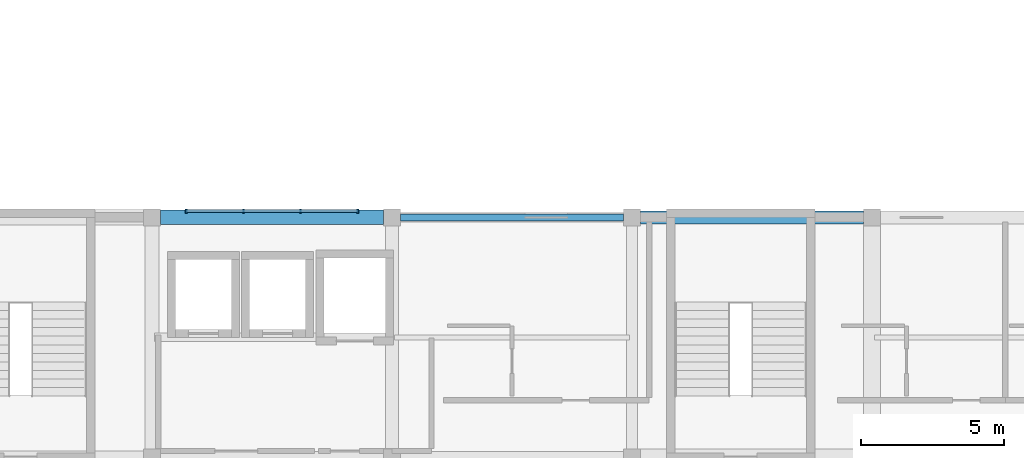
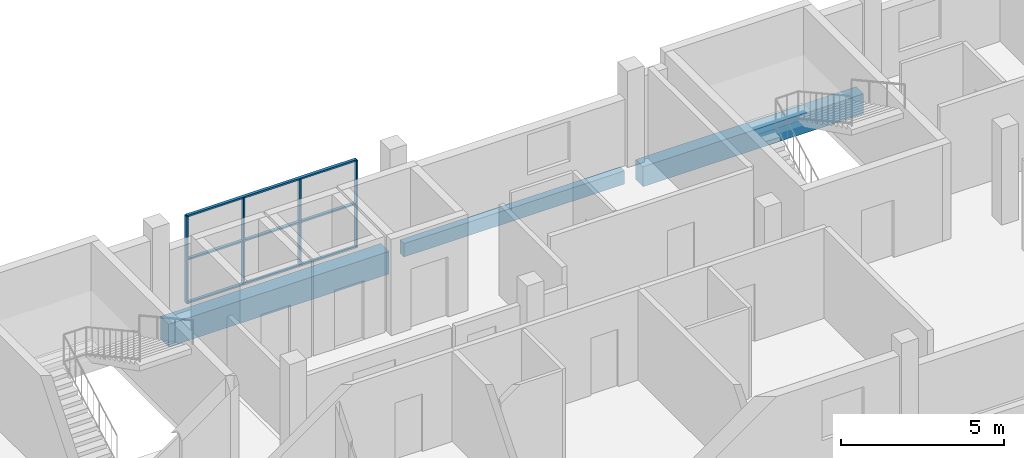
# One storey, part 4 of 24: 7 members, 3 beams, 1 element without a shape of its own.
"""IFC4 building model written with IfcOpenShell, lengths in metres."""

from ifc_helpers import new_model, si_unit, derived_unit, direction, frame, origin, origin_2d, place, context, subcontext, project, spatial, rectangle, extrude, material, material_profile, profile_set, type_object, element, aggregate, save


model = new_model("IFC4")

# Units and contexts
model_context = context("Model", 3, precision=1e-05, world=origin(), true_north=direction((0.0, 1.0)))
body_context = subcontext(model_context, "Body", "Model", "MODEL_VIEW")
ifc_project = project(units=[si_unit("LENGTHUNIT", "METRE"), si_unit("AREAUNIT", "SQUARE_METRE"), si_unit("VOLUMEUNIT", "CUBIC_METRE"), si_unit("PLANEANGLEUNIT", "RADIAN"), si_unit("MASSUNIT", "GRAM", prefix="KILO"), derived_unit("THERMALTRANSMITTANCEUNIT", [(si_unit("POWERUNIT", "WATT"), 1), (si_unit("LENGTHUNIT", "METRE"), -2), (si_unit("THERMODYNAMICTEMPERATUREUNIT", "KELVIN"), -1)])], contexts=[model_context])

# Site, building, storey
site_placement = place(None, origin())
site = spatial("IfcSite", under=ifc_project, at=site_placement, CompositionType="ELEMENT")
building_placement = place(site_placement, origin())
building = spatial("IfcBuilding", under=site, at=building_placement, Name="Barrovel Congress Hotel", CompositionType="ELEMENT")
storey_placement = place(building_placement, frame((0.0, 0.0, 29.10009765625)))
storey = spatial("IfcBuildingStorey", under=building, at=storey_placement, Name="L07", CompositionType="ELEMENT", Elevation=29.10009765625)

# Beams
ifc_material_1 = material(Name="Concrete C40", Category="concrete")
ifc_material_profile_1 = material_profile(ifc_material_1, rectangle(XDim=0.25, YDim=0.5, at=origin_2d()), Name="RC250x500")
ifc_profile_set_1 = profile_set([ifc_material_profile_1], Name="Concrete C40")
beam_type_1 = type_object("IfcBeamType", Name="BM-RC250x500", PredefinedType="SPANDREL", material=ifc_profile_set_1)
beam_1_placement = place(storey_placement, frame((92.699951171875, 21.0, -0.47021484375), z_axis=(1.0, 0.0, 0.0), x_axis=(0.0, 1.0, 0.0)))
element("IfcBeam", 1, at=beam_1_placement, inside=storey, type_object=beam_type_1, Name="BMX:L07:21.0:92.4-100.8", PredefinedType="SPANDREL", context=body_context, shape_type="SweptSolid", body=[
    extrude(rectangle(XDim=0.25, YDim=0.5, at=origin_2d()), origin(), (0.0, 0.0, 1.0), 7.800048828125),
])
ifc_material_profile_2 = material_profile(ifc_material_1, rectangle(XDim=0.449951171875, YDim=0.75, at=origin_2d()), Name="RC450x750")
ifc_profile_set_2 = profile_set([ifc_material_profile_2], Name="Concrete C40")
beam_type_2 = type_object("IfcBeamType", Name="BM-RC450x750", PredefinedType="BEAM", material=ifc_profile_set_2)
beam_2_placement = place(storey_placement, frame((101.10009765625, 21.0, -0.59521484375), z_axis=(1.0, 0.0, 0.0), x_axis=(0.0, 1.0, 0.0)))
element("IfcBeam", 2, at=beam_2_placement, inside=storey, type_object=beam_type_2, Name="BMX:L07:21.0:100.8-109.2", PredefinedType="BEAM", context=body_context, shape_type="SweptSolid", body=[
    extrude(rectangle(XDim=0.449951171875, YDim=0.75, at=origin_2d()), origin(), (0.0, 0.0, 1.0), 7.7998046875),
])
ifc_material_profile_3 = material_profile(ifc_material_1, rectangle(XDim=0.5, YDim=0.85009765625, at=origin_2d()), Name="RC500x850")
ifc_profile_set_3 = profile_set([ifc_material_profile_3], Name="Concrete C40")
beam_type_3 = type_object("IfcBeamType", Name="BM-RC500x850", PredefinedType="BEAM", material=ifc_profile_set_3)
beam_3_placement = place(storey_placement, frame((84.300048828125, 21.0, -0.64501953125), z_axis=(1.0, 0.0, 0.0), x_axis=(0.0, 1.0, 0.0)))
element("IfcBeam", 3, at=beam_3_placement, inside=storey, type_object=beam_type_3, Name="BMX:L07:21.0:84.0-92.4", PredefinedType="BEAM", context=body_context, shape_type="SweptSolid", body=[
    extrude(rectangle(XDim=0.5, YDim=0.85009765625, at=origin_2d()), origin(), (0.0, 0.0, 1.0), 7.800048828125),
])

# Curtain wall, members
ifc_material_2 = material(Name="Anodised Aluminium Alloy 6063-T6", Category="aluminium")
curtain_wall_type = type_object("IfcCurtainWallType", Name="CW-UN-6000x3200", PredefinedType="USERDEFINED", material=ifc_material_2)
curtain_wall_placement = place(storey_placement, origin())
curtain_wall = element("IfcCurtainWall", 4, at=curtain_wall_placement, inside=storey, type_object=curtain_wall_type, Name="CW:L07:UN-4", ObjectType="UNITISED CURTAIN WALL", PredefinedType="USERDEFINED")
ifc_material_profile_4 = material_profile(ifc_material_2, rectangle(XDim=0.06005859375, YDim=0.139892578125, at=origin_2d()), Name="AL-M60x140")
ifc_profile_set_4 = profile_set([ifc_material_profile_4], Name="Anodised Aluminium Alloy 6063-T6")
member_type_1 = type_object("IfcMemberType", Name="CWM-AL-M60x140", PredefinedType="MULLION", material=ifc_profile_set_4)
member_1_placement = place(storey_placement, frame((85.199951171875, 21.219970703125, 0.0), z_axis=(0.0, 0.0, 1.0), x_axis=(1.0, 0.0, 0.0)))
member_1 = element("IfcMember", 5, at=member_1_placement, type_object=member_type_1, Name="CW:L07:UN-4:M0", PredefinedType="MULLION", context=body_context, shape_type="SweptSolid", body=[
    extrude(rectangle(XDim=0.06005859375, YDim=0.139892578125, at=origin_2d()), origin(), (0.0, 0.0, 1.0), 3.25),
])
member_2_placement = place(storey_placement, frame((87.199951171875, 21.219970703125, 0.0), z_axis=(0.0, 0.0, 1.0), x_axis=(1.0, 0.0, 0.0)))
member_2 = element("IfcMember", 6, at=member_2_placement, type_object=member_type_1, Name="CW:L07:UN-4:M1", PredefinedType="MULLION", context=body_context, shape_type="SweptSolid", body=[
    extrude(rectangle(XDim=0.06005859375, YDim=0.139892578125, at=origin_2d()), origin(), (0.0, 0.0, 1.0), 3.25),
])
member_3_placement = place(storey_placement, frame((89.199951171875, 21.219970703125, 0.0), z_axis=(0.0, 0.0, 1.0), x_axis=(1.0, 0.0, 0.0)))
member_3 = element("IfcMember", 7, at=member_3_placement, type_object=member_type_1, Name="CW:L07:UN-4:M2", PredefinedType="MULLION", context=body_context, shape_type="SweptSolid", body=[
    extrude(rectangle(XDim=0.06005859375, YDim=0.139892578125, at=origin_2d()), origin(), (0.0, 0.0, 1.0), 3.25),
])
member_4_placement = place(storey_placement, frame((91.199951171875, 21.219970703125, 0.0), z_axis=(0.0, 0.0, 1.0), x_axis=(1.0, 0.0, 0.0)))
member_4 = element("IfcMember", 8, at=member_4_placement, type_object=member_type_1, Name="CW:L07:UN-4:M3", PredefinedType="MULLION", context=body_context, shape_type="SweptSolid", body=[
    extrude(rectangle(XDim=0.06005859375, YDim=0.139892578125, at=origin_2d()), origin(), (0.0, 0.0, 1.0), 3.25),
])
ifc_material_profile_5 = material_profile(ifc_material_2, rectangle(XDim=0.10498046875, YDim=0.06005859375, at=origin_2d()), Name="AL-T60x105")
ifc_profile_set_5 = profile_set([ifc_material_profile_5], Name="Anodised Aluminium Alloy 6063-T6")
member_type_2 = type_object("IfcMemberType", Name="CWT-AL-T60x105", PredefinedType="USERDEFINED", material=ifc_profile_set_5)
member_5_placement = place(storey_placement, frame((85.199951171875, 21.219970703125, 0.0), z_axis=(1.0, 0.0, 0.0), x_axis=(0.0, 1.0, 0.0)))
member_5 = element("IfcMember", 9, at=member_5_placement, type_object=member_type_2, Name="CW:L07:UN-4:T0", ObjectType="TRANSOM", PredefinedType="USERDEFINED", context=body_context, shape_type="SweptSolid", body=[
    extrude(rectangle(XDim=0.10498046875, YDim=0.06005859375, at=origin_2d()), origin(), (0.0, 0.0, 1.0), 6.0),
])
member_6_placement = place(storey_placement, frame((85.199951171875, 21.219970703125, 1.625), z_axis=(1.0, 0.0, 0.0), x_axis=(0.0, 1.0, 0.0)))
member_6 = element("IfcMember", 10, at=member_6_placement, type_object=member_type_2, Name="CW:L07:UN-4:T1", ObjectType="TRANSOM", PredefinedType="USERDEFINED", context=body_context, shape_type="SweptSolid", body=[
    extrude(rectangle(XDim=0.10498046875, YDim=0.06005859375, at=origin_2d()), origin(), (0.0, 0.0, 1.0), 6.0),
])
member_7_placement = place(storey_placement, frame((85.199951171875, 21.219970703125, 3.25), z_axis=(1.0, 0.0, 0.0), x_axis=(0.0, 1.0, 0.0)))
member_7 = element("IfcMember", 11, at=member_7_placement, type_object=member_type_2, Name="CW:L07:UN-4:T2", ObjectType="TRANSOM", PredefinedType="USERDEFINED", context=body_context, shape_type="SweptSolid", body=[
    extrude(rectangle(XDim=0.10498046875, YDim=0.06005859375, at=origin_2d()), origin(), (0.0, 0.0, 1.0), 6.0),
])
aggregate(curtain_wall, [member_1, member_2, member_3, member_4, member_5, member_6, member_7])

save(model, "model.ifc")
